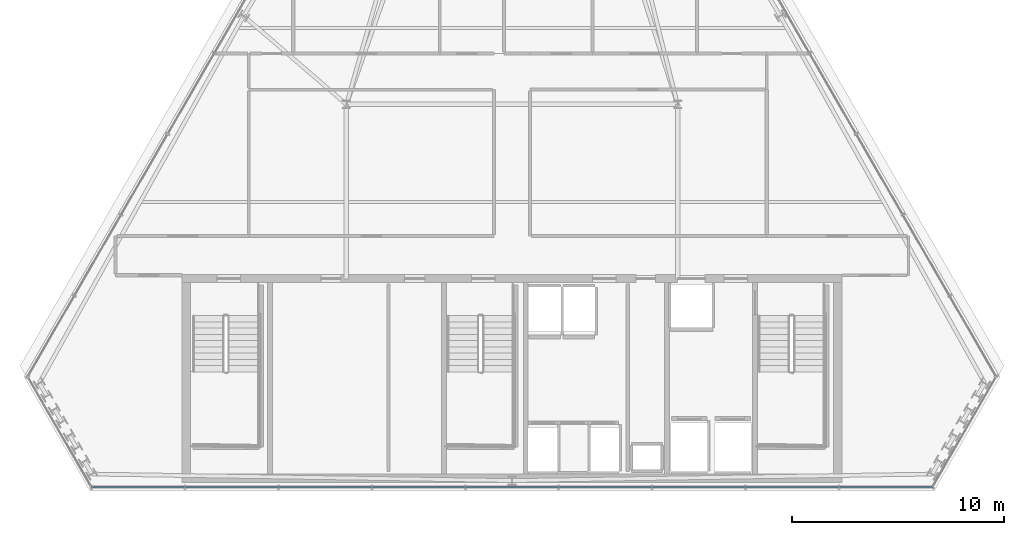
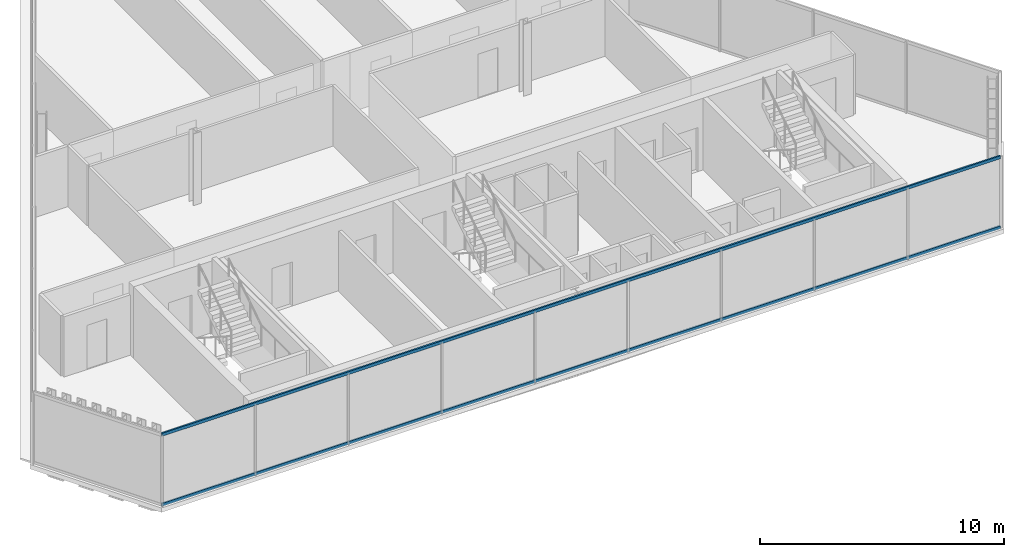
# One storey, part 8 of 32: 2 members, 1 element without a shape of its own.
"""IFC4 building model written with IfcOpenShell, lengths in metres."""

import ifcopenshell
import ifcopenshell.guid

model = None  # the IFC model being written
_history = None  # IfcOwnerHistory: only IFC2X3 demands one
_inside = {}  # id of a spatial element -> (the spatial element, [elements in it])
_under = {}  # id of a project, library or spatial element -> (it, [spatial elements below it])
_declared = {}  # id of a project -> (the project, [libraries it declares])
_typed = {}  # id of a type object -> (the type object, [elements of that type])
_made_of = {}  # id of a material, layer set ... -> (it, [elements and type objects made of it])


def new_model(schema):
    """Start an empty IFC model of exactly this schema.

    Asked for "IFC4X3", IfcOpenShell would pick the latest addendum, in which some entities
    have other attributes; the version numbers below select the first issue.
    IFC2X3 requires an IfcOwnerHistory on every rooted entity: one is made here for all.
    """
    global model, _history
    if schema == "IFC4X3":
        model = ifcopenshell.file(schema_version=(4, 3, 0, 0))
    else:
        model = ifcopenshell.file(schema=schema)
    _inside.clear()
    _under.clear()
    _declared.clear()
    _typed.clear()
    _made_of.clear()
    _history = None
    if model.schema == "IFC2X3":
        org = make("IfcOrganization", Name="unknown")
        user = make(
            "IfcPersonAndOrganization",
            ThePerson=make("IfcPerson", FamilyName="unknown"),
            TheOrganization=org,
        )
        app = make(
            "IfcApplication",
            ApplicationDeveloper=org,
            Version="unknown",
            ApplicationFullName="unknown",
            ApplicationIdentifier="unknown",
        )
        _history = make(
            "IfcOwnerHistory",
            OwningUser=user,
            OwningApplication=app,
            ChangeAction="ADDED",
            CreationDate=0,
        )
    return model


def make(cls, **values):
    """One entity of the class cls with the attributes given. An attribute that is None is left unset."""
    return model.create_entity(
        cls, **{name: value for name, value in values.items() if value is not None}
    )


def rooted(cls, **values):
    """An entity with a GlobalId (a new one), such as an element, a storey or a relation."""
    return make(cls, GlobalId=ifcopenshell.guid.new(), OwnerHistory=_history, **values)


def si_unit(unit_type, name, prefix=None):
    """IfcSIUnit, for example si_unit("LENGTHUNIT", "METRE", prefix="MILLI")."""
    return make("IfcSIUnit", UnitType=unit_type, Prefix=prefix, Name=name)


def assignment(units):
    """IfcUnitAssignment: the units of a project."""
    return None if units is None else make("IfcUnitAssignment", Units=units)


def point(xyz):
    """IfcCartesianPoint."""
    return None if xyz is None else make("IfcCartesianPoint", Coordinates=xyz)


def direction(xyz):
    """IfcDirection."""
    return None if xyz is None else make("IfcDirection", DirectionRatios=xyz)


def frame(location, z_axis=None, x_axis=None):
    """IfcAxis2Placement3D, a coordinate frame: its origin and axes. An axis left out is left unset."""
    return make(
        "IfcAxis2Placement3D",
        Location=point(location),
        Axis=direction(z_axis),
        RefDirection=direction(x_axis),
    )


def frame_2d(location, x_axis=None):
    """IfcAxis2Placement2D, a coordinate frame in the plane: its origin and x axis."""
    return make(
        "IfcAxis2Placement2D", Location=point(location), RefDirection=direction(x_axis)
    )


def origin():
    """The frame at (0, 0, 0) with its axes left unset."""
    return frame((0.0, 0.0, 0.0))


def origin_2d():
    """The frame at (0, 0) in the plane with its x axis left unset."""
    return frame_2d((0.0, 0.0))


def place(relative_to, where):
    """IfcLocalPlacement: puts the frame where relative to a parent placement (None: the world)."""
    return make(
        "IfcLocalPlacement", PlacementRelTo=relative_to, RelativePlacement=where
    )


def context(
    kind, dimensions, precision=None, world=None, true_north=None, identifier=None
):
    """IfcGeometricRepresentationContext, for example the 3D "Model" context."""
    return make(
        "IfcGeometricRepresentationContext",
        ContextIdentifier=identifier,
        ContextType=kind,
        CoordinateSpaceDimension=dimensions,
        Precision=precision,
        WorldCoordinateSystem=world,
        TrueNorth=true_north,
    )


def subcontext(parent, identifier, kind, view, scale=None):
    """IfcGeometricRepresentationSubContext, for example "Body" below "Model"."""
    return make(
        "IfcGeometricRepresentationSubContext",
        ContextIdentifier=identifier,
        ContextType=kind,
        ParentContext=parent,
        TargetScale=scale,
        TargetView=view,
    )


def project(units=None, contexts=None):
    """IfcProject with its units and contexts."""
    return rooted(
        "IfcProject",
        Name="project",
        RepresentationContexts=contexts,
        UnitsInContext=assignment(units),
    )


def spatial(cls, under=None, at=None, **own):
    """A site, building, storey or space (cls), placed at a placement, below another one or the project."""
    s = rooted(cls, ObjectPlacement=at, **own)
    if under is not None:
        _under.setdefault(under.id(), (under, []))[1].append(s)
    return s


def profile(cls, at=None, kind="AREA", **sizes):
    """A parametric profile (cls). Its sizes go by their IFC names, for example OverallWidth=200.0."""
    return make(cls, ProfileType=kind, Position=at, **sizes)


def hollow_rectangle(**sizes):
    """IfcRectangleHollowProfileDef."""
    return profile("IfcRectangleHollowProfileDef", **sizes)


def extrude(swept, where, along, depth):
    """IfcExtrudedAreaSolid: the profile swept, set in the frame where, extruded along a direction by depth."""
    return make(
        "IfcExtrudedAreaSolid",
        SweptArea=swept,
        Position=where,
        ExtrudedDirection=direction(along),
        Depth=depth,
    )


def shape(context_of_items, identifier, shape_type, items):
    """IfcShapeRepresentation: the items that make up one representation, for example the "Body"."""
    return make(
        "IfcShapeRepresentation",
        ContextOfItems=context_of_items,
        RepresentationIdentifier=identifier,
        RepresentationType=shape_type,
        Items=items,
    )


def material(Name=None, Category=None):
    """IfcMaterial."""
    return make("IfcMaterial", Name=Name, Category=Category)


def layer(
    of_material, thickness, ventilated=None, Name=None, Category=None, Priority=None
):
    """IfcMaterialLayer: one layer of a wall or slab, of a material (None: an air gap)."""
    return make(
        "IfcMaterialLayer",
        Material=of_material,
        LayerThickness=thickness,
        IsVentilated=ventilated,
        Name=Name,
        Category=Category,
        Priority=Priority,
    )


def layer_set(layers, Name=None):
    """IfcMaterialLayerSet."""
    return make("IfcMaterialLayerSet", MaterialLayers=layers, LayerSetName=Name)


def material_profile(
    of_material, cross_section, Name=None, Category=None, Priority=None
):
    """IfcMaterialProfile: a cross section and its material."""
    return make(
        "IfcMaterialProfile",
        Name=Name,
        Material=of_material,
        Profile=cross_section,
        Priority=Priority,
        Category=Category,
    )


def profile_set(profiles, Name=None, composite=None):
    """IfcMaterialProfileSet."""
    return make(
        "IfcMaterialProfileSet",
        Name=Name,
        MaterialProfiles=profiles,
        CompositeProfile=composite,
    )


def made_of(thing, what):
    """Note that an element or type object is made of a material, layer set ...; save() writes the relation."""
    if what is not None:
        _made_of.setdefault(what.id(), (what, []))[1].append(thing)
    return thing


def type_object(cls, material=None, **own):
    """A type object (cls), such as IfcWallType, which elements share."""
    return made_of(rooted(cls, **own), material)


def element(
    cls,
    number,
    at=None,
    inside=None,
    cuts=None,
    type_object=None,
    material=None,
    context=None,
    identifier="Body",
    shape_type=None,
    held_by="IfcProductDefinitionShape",
    body=None,
    shapes=None,
    **own,
):
    """One element of the class cls, such as IfcWall. Its Tag is "e" and its number.

    at: its placement. inside: the storey or other place that contains it. cuts: it is an
    opening in that element (IfcRelVoidsElement). A single representation is given by context,
    identifier, shape_type and body (its items); several are given by shapes. held_by: the class
    of the entity that holds the representations. save() writes the other relations.
    """
    e = rooted(cls, Tag="e%d" % number, ObjectPlacement=at, **own)
    if body is not None:
        shapes = [shape(context, identifier, shape_type, body)]
    if shapes is not None:
        e.Representation = make(held_by, Representations=shapes)
    if inside is not None:
        _inside.setdefault(inside.id(), (inside, []))[1].append(e)
    if cuts is not None:
        rooted(
            "IfcRelVoidsElement", RelatingBuildingElement=cuts, RelatedOpeningElement=e
        )
    if type_object is not None:
        _typed.setdefault(type_object.id(), (type_object, []))[1].append(e)
    return made_of(e, material)


def aggregate(whole, parts):
    """IfcRelAggregates: a whole, such as a stair, and the parts it consists of."""
    return rooted("IfcRelAggregates", RelatingObject=whole, RelatedObjects=parts)


def save(model, path):
    """Write the relations noted so far, then the file.

    IfcRelAggregates (storeys below a building ...), IfcRelContainedInSpatialStructure (elements
    in a storey), IfcRelDefinesByType, IfcRelAssociatesMaterial and IfcRelDeclares: one each for
    every whole, place, type object, material and project.
    """
    for whole, parts in _under.values():
        aggregate(whole, parts)
    for where, things in _inside.values():
        rooted(
            "IfcRelContainedInSpatialStructure",
            RelatedElements=things,
            RelatingStructure=where,
        )
    for kind, things in _typed.values():
        rooted("IfcRelDefinesByType", RelatedObjects=things, RelatingType=kind)
    for what, things in _made_of.values():
        rooted("IfcRelAssociatesMaterial", RelatedObjects=things, RelatingMaterial=what)
    for by, libraries in _declared.values():
        rooted("IfcRelDeclares", RelatingContext=by, RelatedDefinitions=libraries)
    model.write(path)


model = new_model("IFC4")

# Units and contexts
model_context = context("Model", 3, precision=1e-05, world=origin(), true_north=direction((0.0, 1.0)))
body_context = subcontext(model_context, "Body", "Model", "MODEL_VIEW")
ifc_project = project(units=[si_unit("LENGTHUNIT", "METRE"), si_unit("AREAUNIT", "SQUARE_METRE"), si_unit("VOLUMEUNIT", "CUBIC_METRE"), si_unit("PLANEANGLEUNIT", "RADIAN"), si_unit("MASSUNIT", "GRAM", prefix="KILO")], contexts=[model_context])

# Site, building, storey
site_placement = place(None, origin())
site = spatial("IfcSite", under=ifc_project, at=site_placement, CompositionType="ELEMENT")
building_placement = place(site_placement, origin())
building = spatial("IfcBuilding", under=site, at=building_placement, Name="Ndaravel Arena Tower", CompositionType="ELEMENT")
storey_placement = place(building_placement, frame((0.0, 0.0, 252.199951171875)))
storey = spatial("IfcBuildingStorey", under=building, at=storey_placement, Name="L61", CompositionType="ELEMENT", Elevation=252.199951171875)

# Curtain wall, members
ifc_material_1 = material(Name="Aluminium", Category="aluminium")
ifc_layer = layer(ifc_material_1, 0.179931640625)
ifc_layer_set = layer_set([ifc_layer], Name="Aluminium")
curtain_wall_type = type_object("IfcCurtainWallType", Name="CW-SYS-03", PredefinedType="NOTDEFINED", material=ifc_layer_set)
curtain_wall_placement = place(storey_placement, origin())
curtain_wall = element("IfcCurtainWall", 1, at=curtain_wall_placement, inside=storey, type_object=curtain_wall_type, Name="L61 Faceted Crystal Curtain Wall CW-L61-E01", PredefinedType="NOTDEFINED")
ifc_material_2 = material(Name="Aluminium", Category="aluminium")
ifc_material_profile = material_profile(ifc_material_2, hollow_rectangle(XDim=0.074951171875, YDim=0.14990234375, WallThickness=0.00390625, at=origin_2d()), Name="CW TRANSOM 75x150x4")
ifc_profile_set = profile_set([ifc_material_profile], Name="Aluminium")
member_type = type_object("IfcMemberType", Name="MEM-CW-TRN150", PredefinedType="USERDEFINED", material=ifc_profile_set)
member_1_placement = place(storey_placement, frame((22.197021484375, 5.159912109375, 0.0400390625), z_axis=(1.0, 0.0, 0.0), x_axis=(0.0, 1.0, 0.0)))
member_1 = element("IfcMember", 2, at=member_1_placement, type_object=member_type, Name="CW-L61-E01 Transom 01", ObjectType="TRANSOM", PredefinedType="USERDEFINED", context=body_context, shape_type="SweptSolid", body=[
    extrude(hollow_rectangle(XDim=0.074951171875, YDim=0.14990234375, WallThickness=0.00390625, at=origin_2d()), origin(), (0.0, 0.0, 1.0), 39.60595703125),
])
member_2_placement = place(storey_placement, frame((22.197021484375, 5.159912109375, 3.5400390625), z_axis=(1.0, 0.0, 0.0), x_axis=(0.0, 1.0, 0.0)))
member_2 = element("IfcMember", 3, at=member_2_placement, type_object=member_type, Name="CW-L61-E01 Transom 02", ObjectType="TRANSOM", PredefinedType="USERDEFINED", context=body_context, shape_type="SweptSolid", body=[
    extrude(hollow_rectangle(XDim=0.074951171875, YDim=0.14990234375, WallThickness=0.00390625, at=origin_2d()), origin(), (0.0, 0.0, 1.0), 39.60595703125),
])
aggregate(curtain_wall, [member_1, member_2])

save(model, "model.ifc")
